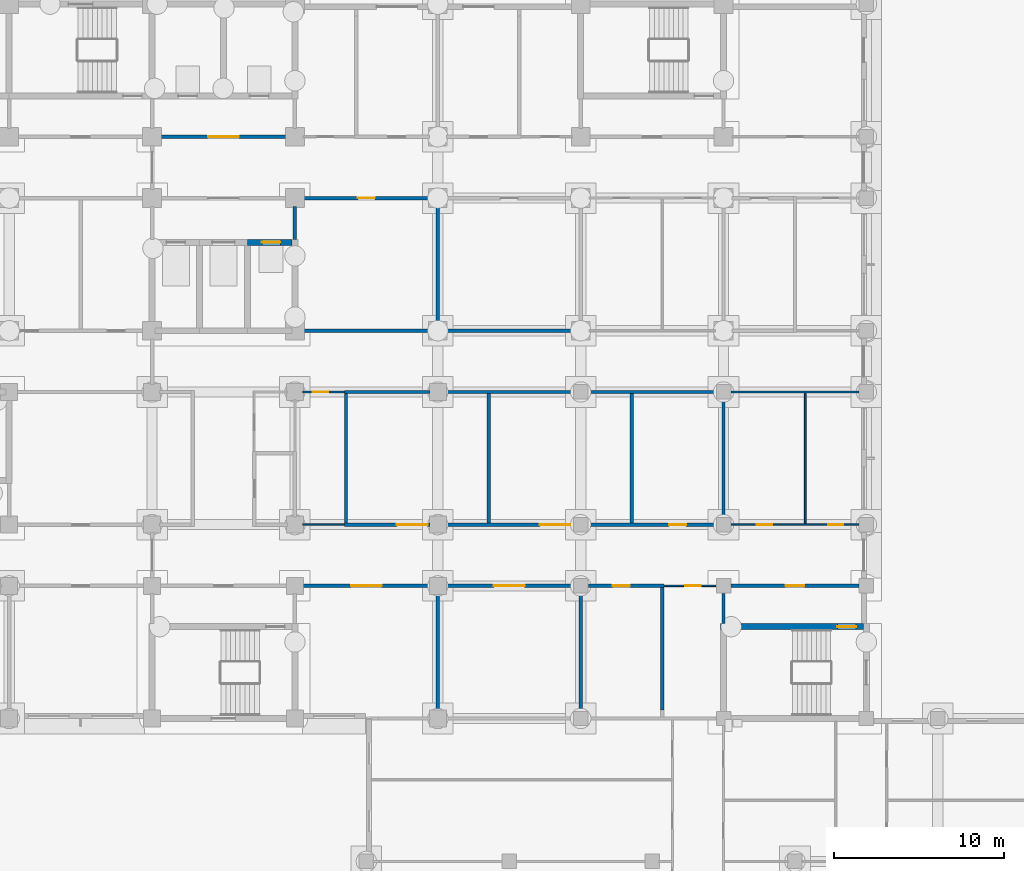
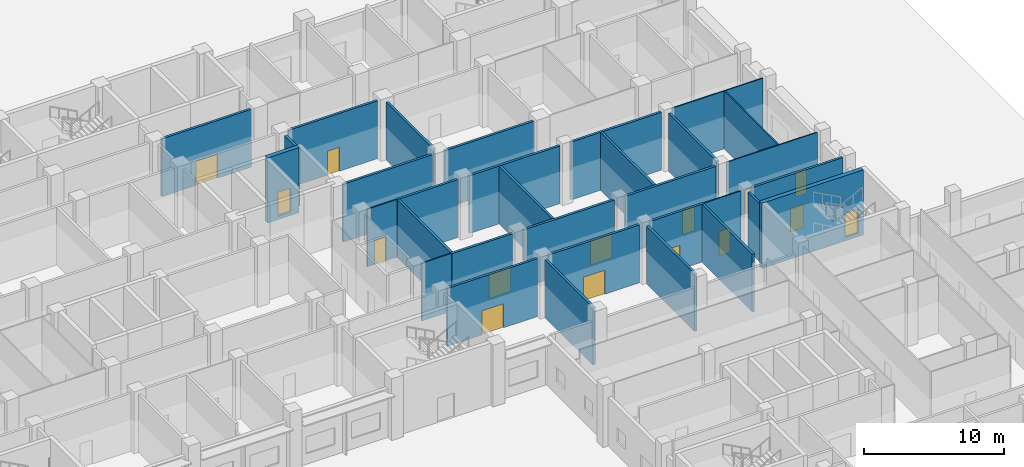
# One storey, part 87 of 146: 32 walls, 15 doors, 15 openings.
"""IFC4 building model written with IfcOpenShell, lengths in metres."""

from ifc_helpers import new_model, si_unit, direction, frame, frame_2d, origin, place, context, subcontext, project, spatial, rectangle, extrude, material, layer, layer_set, type_object, element, fill, save


model = new_model("IFC4")

# Units and contexts
model_context = context("Model", 3, precision=1e-05, world=origin(), true_north=direction((0.0, 1.0)))
body_context = subcontext(model_context, "Body", "Model", "MODEL_VIEW")
ifc_project = project(units=[si_unit("LENGTHUNIT", "METRE"), si_unit("AREAUNIT", "SQUARE_METRE"), si_unit("VOLUMEUNIT", "CUBIC_METRE"), si_unit("PLANEANGLEUNIT", "RADIAN"), si_unit("MASSUNIT", "GRAM", prefix="KILO")], contexts=[model_context])

# Site, building, storey
site_placement = place(None, origin())
site = spatial("IfcSite", under=ifc_project, at=site_placement, CompositionType="ELEMENT")
building_placement = place(site_placement, origin())
building = spatial("IfcBuilding", under=site, at=building_placement, Name="Bougainvillea Quay General Hospital", CompositionType="ELEMENT")
storey_placement = place(building_placement, origin())
storey = spatial("IfcBuildingStorey", under=building, at=storey_placement, Name="L00", CompositionType="ELEMENT", Elevation=0.0)

# Wall, openings, doors
ifc_material_1 = material(Name="Gypsum board partition on steel studs", Category="steel")
ifc_layer_1 = layer(ifc_material_1, 0.10009765625)
ifc_layer_set_1 = layer_set([ifc_layer_1], Name="Gypsum board partition on steel studs")
wall_type_1 = type_object("IfcWallType", Name="Partition 100 Gypsum board partition", PredefinedType="PARTITIONING", material=ifc_layer_set_1)
wall_1_placement = place(storey_placement, frame((185.25, 129.0, 0.0), z_axis=(0.0, 0.0, 1.0), x_axis=(1.0, 0.0, 0.0)))
wall_1 = element("IfcWall", 1, at=wall_1_placement, inside=storey, type_object=wall_type_1, Name="Partition 100 mm", PredefinedType="PARTITIONING", context=body_context, shape_type="SweptSolid", body=[
    extrude(rectangle(XDim=7.5, YDim=0.10009765625, at=frame_2d((3.75, 0.0))), origin(), (0.0, 0.0, 1.0), 5.050048828125),
])
opening_1_placement = place(wall_1_placement, frame((1.5, 0.0, 0.0)))
opening_1 = element("IfcOpeningElement", 2, at=opening_1_placement, cuts=wall_1, Name="Opening L00.169", PredefinedType="OPENING", context=body_context, shape_type="SweptSolid", body=[
    extrude(rectangle(XDim=0.89990234375, YDim=2.10009765625, at=frame_2d((0.449951171875, 1.050048828125))), frame((0.0, 0.06005859375, 0.0), z_axis=(0.0, -1.0, 0.0), x_axis=(1.0, 0.0, 0.0)), (0.0, 0.0, 1.0), 0.1201171875),
])
opening_2_placement = place(wall_1_placement, frame((5.699951171875, 0.0, 0.0)))
opening_2 = element("IfcOpeningElement", 3, at=opening_2_placement, cuts=wall_1, Name="Opening L00.170", PredefinedType="OPENING", context=body_context, shape_type="SweptSolid", body=[
    extrude(rectangle(XDim=0.89990234375, YDim=2.10009765625, at=frame_2d((0.449951171875, 1.050048828125))), frame((0.0, 0.06005859375, 0.0), z_axis=(0.0, -1.0, 0.0), x_axis=(1.0, 0.0, 0.0)), (0.0, 0.0, 1.0), 0.1201171875),
])
ifc_material_2 = material(Name="Solid-core timber door leaf in steel frame", Category="steel")
door_type_1 = type_object("IfcDoorType", Name="Single leaf door 900x2100", OperationType="NOTDEFINED", PredefinedType="DOOR", material=ifc_material_2)
door_1_placement = place(opening_1_placement, origin())
door_1 = element("IfcDoor", 4, at=door_1_placement, inside=storey, type_object=door_type_1, Name="DT07 L00.169", OperationType="SINGLE_SWING_LEFT", OverallHeight=2.10009765625, OverallWidth=0.89990234375, PredefinedType="DOOR", context=body_context, shape_type="SweptSolid", body=[
    extrude(rectangle(XDim=0.89990234375, YDim=2.10009765625, at=frame_2d((0.449951171875, 1.050048828125))), frame((0.0, 0.02490234375, 0.0), z_axis=(0.0, -1.0, 0.0), x_axis=(1.0, 0.0, 0.0)), (0.0, 0.0, 1.0), 0.050048828125),
])
fill(opening_1, door_1)
door_2_placement = place(opening_2_placement, origin())
door_2 = element("IfcDoor", 5, at=door_2_placement, inside=storey, type_object=door_type_1, Name="DT07 L00.170", OperationType="SINGLE_SWING_RIGHT", OverallHeight=2.10009765625, OverallWidth=0.89990234375, PredefinedType="DOOR", context=body_context, shape_type="SweptSolid", body=[
    extrude(rectangle(XDim=0.89990234375, YDim=2.10009765625, at=frame_2d((0.449951171875, 1.050048828125))), frame((0.0, 0.02490234375, 0.0), z_axis=(0.0, -1.0, 0.0), x_axis=(1.0, 0.0, 0.0)), (0.0, 0.0, 1.0), 0.050048828125),
])
fill(opening_2, door_2)

# Walls
wall_2_placement = place(storey_placement, frame((185.25, 136.800048828125, 0.0), z_axis=(0.0, 0.0, 1.0), x_axis=(1.0, 0.0, 0.0)))
element("IfcWall", 6, at=wall_2_placement, inside=storey, type_object=wall_type_1, Name="Partition 100 mm", PredefinedType="PARTITIONING", context=body_context, shape_type="SweptSolid", body=[
    extrude(rectangle(XDim=7.5, YDim=0.10009765625, at=frame_2d((3.75, 0.0))), origin(), (0.0, 0.0, 1.0), 5.050048828125),
])
wall_3_placement = place(storey_placement, frame((189.60009765625, 129.050048828125, 0.0), z_axis=(0.0, 0.0, 1.0), x_axis=(0.0, 1.0, 0.0)))
element("IfcWall", 7, at=wall_3_placement, inside=storey, type_object=wall_type_1, Name="Partition 100 mm", PredefinedType="PARTITIONING", context=body_context, shape_type="SweptSolid", body=[
    extrude(rectangle(XDim=7.699951171875, YDim=0.10009765625, at=frame_2d((3.85009765625, 0.0))), origin(), (0.0, 0.0, 1.0), 5.050048828125),
])

# Wall, opening, door
wall_4_placement = place(storey_placement, frame((160.050048828125, 136.800048828125, 0.0), z_axis=(0.0, 0.0, 1.0), x_axis=(1.0, 0.0, 0.0)))
wall_4 = element("IfcWall", 8, at=wall_4_placement, inside=storey, type_object=wall_type_1, Name="Partition 100 mm", PredefinedType="PARTITIONING", context=body_context, shape_type="SweptSolid", body=[
    extrude(rectangle(XDim=2.449951171875, YDim=0.10009765625, at=frame_2d((1.22509765625, 0.0))), origin(), (0.0, 0.0, 1.0), 5.050048828125),
])
opening_3_placement = place(wall_4_placement, frame((0.60009765625, 0.0, 0.0)))
opening_3 = element("IfcOpeningElement", 9, at=opening_3_placement, cuts=wall_4, Name="Opening L00.165", PredefinedType="OPENING", context=body_context, shape_type="SweptSolid", body=[
    extrude(rectangle(XDim=0.89990234375, YDim=2.10009765625, at=frame_2d((0.449951171875, 1.050048828125))), frame((0.0, 0.06005859375, 0.0), z_axis=(0.0, -1.0, 0.0), x_axis=(1.0, 0.0, 0.0)), (0.0, 0.0, 1.0), 0.1201171875),
])
door_3_placement = place(opening_3_placement, frame((0.89990234375, 0.0, 0.0), z_axis=(0.0, 0.0, 1.0), x_axis=(-1.0, 0.0, 0.0)))
door_3 = element("IfcDoor", 10, at=door_3_placement, inside=storey, type_object=door_type_1, Name="DT07 L00.165", OperationType="SINGLE_SWING_RIGHT", OverallHeight=2.10009765625, OverallWidth=0.89990234375, PredefinedType="DOOR", context=body_context, shape_type="SweptSolid", body=[
    extrude(rectangle(XDim=0.89990234375, YDim=2.10009765625, at=frame_2d((0.449951171875, 1.050048828125))), frame((0.0, 0.02490234375, 0.0), z_axis=(0.0, -1.0, 0.0), x_axis=(1.0, 0.0, 0.0)), (0.0, 0.0, 1.0), 0.050048828125),
])
fill(opening_3, door_3)

wall_5_placement = place(storey_placement, frame((181.300048828125, 125.39990234375, 0.0), z_axis=(0.0, 0.0, 1.0), x_axis=(1.0, 0.0, 0.0)))
wall_5 = element("IfcWall", 11, at=wall_5_placement, inside=storey, type_object=wall_type_1, Name="Partition 100 mm", PredefinedType="PARTITIONING", context=body_context, shape_type="SweptSolid", body=[
    extrude(rectangle(XDim=3.050048828125, YDim=0.10009765625, at=frame_2d((1.52490234375, 0.0))), origin(), (0.0, 0.0, 1.0), 5.050048828125),
])
opening_4_placement = place(wall_5_placement, frame((1.25, 0.0, 0.0)))
opening_4 = element("IfcOpeningElement", 12, at=opening_4_placement, cuts=wall_5, Name="Opening L00.164", PredefinedType="OPENING", context=body_context, shape_type="SweptSolid", body=[
    extrude(rectangle(XDim=0.89990234375, YDim=2.10009765625, at=frame_2d((0.449951171875, 1.050048828125))), frame((0.0, 0.06005859375, 0.0), z_axis=(0.0, -1.0, 0.0), x_axis=(1.0, 0.0, 0.0)), (0.0, 0.0, 1.0), 0.1201171875),
])
door_4_placement = place(opening_4_placement, frame((0.89990234375, 0.0, 0.0), z_axis=(0.0, 0.0, 1.0), x_axis=(-1.0, 0.0, 0.0)))
door_4 = element("IfcDoor", 13, at=door_4_placement, inside=storey, type_object=door_type_1, Name="DT07 L00.164", OperationType="SINGLE_SWING_LEFT", OverallHeight=2.10009765625, OverallWidth=0.89990234375, PredefinedType="DOOR", context=body_context, shape_type="SweptSolid", body=[
    extrude(rectangle(XDim=0.89990234375, YDim=2.10009765625, at=frame_2d((0.449951171875, 1.050048828125))), frame((0.0, 0.02490234375, 0.0), z_axis=(0.0, -1.0, 0.0), x_axis=(1.0, 0.0, 0.0)), (0.0, 0.0, 1.0), 0.050048828125),
])
fill(opening_4, door_4)

# Wall
wall_6_placement = place(storey_placement, frame((160.050048828125, 129.0, 0.0), z_axis=(0.0, 0.0, 1.0), x_axis=(1.0, 0.0, 0.0)))
element("IfcWall", 14, at=wall_6_placement, inside=storey, type_object=wall_type_1, Name="Partition 100 mm", PredefinedType="PARTITIONING", context=body_context, shape_type="SweptSolid", body=[
    extrude(rectangle(XDim=2.449951171875, YDim=0.10009765625, at=frame_2d((1.22509765625, 0.0))), origin(), (0.0, 0.0, 1.0), 5.050048828125),
])

# Wall, opening, door
ifc_material_3 = material(Name="Fire-rated autoclaved aerated block wall, plastered")
ifc_layer_2 = layer(ifc_material_3, 0.199951171875)
ifc_layer_set_2 = layer_set([ifc_layer_2], Name="Fire-rated autoclaved aerated block wall, plastered")
wall_type_2 = type_object("IfcWallType", Name="Partition 200 Fire-rated autoclaved aerated block wall EI 120", PredefinedType="SOLIDWALL", material=ifc_layer_set_2)
wall_7_placement = place(storey_placement, frame((159.10009765625, 151.800048828125, 0.0), z_axis=(0.0, 0.0, 1.0), x_axis=(-1.0, 0.0, 0.0)))
wall_7 = element("IfcWall", 15, at=wall_7_placement, inside=storey, type_object=wall_type_2, Name="Partition 200 mm EI 120", PredefinedType="SOLIDWALL", context=body_context, shape_type="SweptSolid", body=[
    extrude(rectangle(XDim=7.400146484375, YDim=0.199951171875, at=frame_2d((3.7001953125, 0.0))), origin(), (0.0, 0.0, 1.0), 5.050048828125),
])
opening_5_placement = place(wall_7_placement, frame((2.800048828125, 0.0, 0.0)))
opening_5 = element("IfcOpeningElement", 16, at=opening_5_placement, cuts=wall_7, Name="Opening L00.053", PredefinedType="OPENING", context=body_context, shape_type="SweptSolid", body=[
    extrude(rectangle(XDim=1.800048828125, YDim=2.10009765625, at=frame_2d((0.89990234375, 1.050048828125))), frame((0.0, 0.10986328125, 0.0), z_axis=(0.0, -1.0, 0.0), x_axis=(1.0, 0.0, 0.0)), (0.0, 0.0, 1.0), 0.219970703125),
])
ifc_material_4 = material(Name="Steel fire door leaves in steel frame", Category="steel")
door_type_2 = type_object("IfcDoorType", Name="Steel double leaf door 1800x2100 FD60", OperationType="DOUBLE_DOOR_SINGLE_SWING", PredefinedType="DOOR", material=ifc_material_4)
door_5_placement = place(opening_5_placement, frame((1.800048828125, 0.0, 0.0), z_axis=(0.0, 0.0, 1.0), x_axis=(-1.0, 0.0, 0.0)))
door_5 = element("IfcDoor", 17, at=door_5_placement, inside=storey, type_object=door_type_2, Name="DT05 L00.053", OperationType="DOUBLE_DOOR_SINGLE_SWING", OverallHeight=2.10009765625, OverallWidth=1.800048828125, PredefinedType="DOOR", context=body_context, shape_type="SweptSolid", body=[
    extrude(rectangle(XDim=1.800048828125, YDim=2.10009765625, at=frame_2d((0.89990234375, 1.050048828125))), frame((0.0, 0.02490234375, 0.0), z_axis=(0.0, -1.0, 0.0), x_axis=(1.0, 0.0, 0.0)), (0.0, 0.0, 1.0), 0.050048828125),
])
fill(opening_5, door_5)

wall_8_placement = place(storey_placement, frame((185.25, 125.39990234375, 0.0), z_axis=(0.0, 0.0, 1.0), x_axis=(1.0, 0.0, 0.0)))
wall_8 = element("IfcWall", 18, at=wall_8_placement, inside=storey, type_object=wall_type_2, Name="Partition 200 mm EI 120", PredefinedType="SOLIDWALL", context=body_context, shape_type="SweptSolid", body=[
    extrude(rectangle(XDim=7.5, YDim=0.199951171875, at=frame_2d((3.75, 0.0))), origin(), (0.0, 0.0, 1.0), 5.050048828125),
])
opening_6_placement = place(wall_8_placement, frame((3.199951171875, 0.0, 0.0)))
opening_6 = element("IfcOpeningElement", 19, at=opening_6_placement, cuts=wall_8, Name="Opening L00.046", PredefinedType="OPENING", context=body_context, shape_type="SweptSolid", body=[
    extrude(rectangle(XDim=1.10009765625, YDim=2.10009765625, at=frame_2d((0.550048828125, 1.050048828125))), frame((0.0, 0.10986328125, 0.0), z_axis=(0.0, -1.0, 0.0), x_axis=(1.0, 0.0, 0.0)), (0.0, 0.0, 1.0), 0.219970703125),
])
ifc_material_5 = material(Name="Steel fire door leaf in steel frame", Category="steel")
door_type_3 = type_object("IfcDoorType", Name="Steel single leaf door 1100x2100 FD60", OperationType="NOTDEFINED", PredefinedType="DOOR", material=ifc_material_5)
door_6_placement = place(opening_6_placement, frame((1.10009765625, 0.0, 0.0), z_axis=(0.0, 0.0, 1.0), x_axis=(-1.0, 0.0, 0.0)))
door_6 = element("IfcDoor", 20, at=door_6_placement, inside=storey, type_object=door_type_3, Name="DT04 L00.046", OperationType="SINGLE_SWING_LEFT", OverallHeight=2.10009765625, OverallWidth=1.10009765625, PredefinedType="DOOR", context=body_context, shape_type="SweptSolid", body=[
    extrude(rectangle(XDim=1.10009765625, YDim=2.10009765625, at=frame_2d((0.550048828125, 1.050048828125))), frame((0.0, 0.02490234375, 0.0), z_axis=(0.0, -1.0, 0.0), x_axis=(1.0, 0.0, 0.0)), (0.0, 0.0, 1.0), 0.050048828125),
])
fill(opening_6, door_6)

# Walls
wall_9_placement = place(storey_placement, frame((159.60009765625, 145.77490234375, 0.0), z_axis=(0.0, 0.0, 1.0), x_axis=(0.0, 1.0, 0.0)))
element("IfcWall", 21, at=wall_9_placement, inside=storey, type_object=wall_type_2, Name="Partition 200 mm EI 120", PredefinedType="SOLIDWALL", context=body_context, shape_type="SweptSolid", body=[
    extrude(rectangle(XDim=1.925048828125, YDim=0.199951171875, at=frame_2d((0.96240234375, 0.0))), origin(), (0.0, 0.0, 1.0), 5.050048828125),
])
wall_10_placement = place(storey_placement, frame((184.800048828125, 123.175048828125, 0.0), z_axis=(0.0, 0.0, 1.0), x_axis=(0.0, 1.0, 0.0)))
element("IfcWall", 22, at=wall_10_placement, inside=storey, type_object=wall_type_2, Name="Partition 200 mm EI 120", PredefinedType="SOLIDWALL", context=body_context, shape_type="SweptSolid", body=[
    extrude(rectangle(XDim=1.77490234375, YDim=0.199951171875, at=frame_2d((0.887451171875, 0.0))), origin(), (0.0, 0.0, 1.0), 5.050048828125),
])

# Wall, opening, door
ifc_layer_3 = layer(ifc_material_3, 0.199951171875)
ifc_layer_set_3 = layer_set([ifc_layer_3], Name="Fire-rated autoclaved aerated block wall, plastered")
wall_type_3 = type_object("IfcWallType", Name="Partition 200 Fire-rated autoclaved aerated block wall EI 60", PredefinedType="SOLIDWALL", material=ifc_layer_set_3)
wall_11_placement = place(storey_placement, frame((184.35009765625, 129.0, 0.0), z_axis=(0.0, 0.0, 1.0), x_axis=(-1.0, 0.0, 0.0)))
wall_11 = element("IfcWall", 23, at=wall_11_placement, inside=storey, type_object=wall_type_3, Name="Partition 200 mm EI 60", PredefinedType="SOLIDWALL", context=body_context, shape_type="SweptSolid", body=[
    extrude(rectangle(XDim=7.5, YDim=0.199951171875, at=frame_2d((3.75, 0.0))), origin(), (0.0, 0.0, 1.0), 5.050048828125),
])
opening_7_placement = place(wall_11_placement, frame((1.75, 0.0, 0.0)))
opening_7 = element("IfcOpeningElement", 24, at=opening_7_placement, cuts=wall_11, Name="Opening L00.168", PredefinedType="OPENING", context=body_context, shape_type="SweptSolid", body=[
    extrude(rectangle(XDim=1.0, YDim=2.10009765625, at=frame_2d((0.5, 1.050048828125))), frame((0.0, 0.10986328125, 0.0), z_axis=(0.0, -1.0, 0.0), x_axis=(1.0, 0.0, 0.0)), (0.0, 0.0, 1.0), 0.219970703125),
])
door_type_4 = type_object("IfcDoorType", Name="Steel single leaf door 1000x2100 FD60", OperationType="NOTDEFINED", PredefinedType="DOOR", material=ifc_material_5)
door_7_placement = place(opening_7_placement, frame((1.0, 0.0, 0.0), z_axis=(0.0, 0.0, 1.0), x_axis=(-1.0, 0.0, 0.0)))
door_7 = element("IfcDoor", 25, at=door_7_placement, inside=storey, type_object=door_type_4, Name="DT10 L00.168", OperationType="SINGLE_SWING_RIGHT", OverallHeight=2.10009765625, OverallWidth=1.0, PredefinedType="DOOR", context=body_context, shape_type="SweptSolid", body=[
    extrude(rectangle(XDim=1.0, YDim=2.10009765625, at=frame_2d((0.5, 1.050048828125))), frame((0.0, 0.02490234375, 0.0), z_axis=(0.0, -1.0, 0.0), x_axis=(1.0, 0.0, 0.0)), (0.0, 0.0, 1.0), 0.050048828125),
])
fill(opening_7, door_7)

wall_12_placement = place(storey_placement, frame((175.949951171875, 129.0, 0.0), z_axis=(0.0, 0.0, 1.0), x_axis=(-1.0, 0.0, 0.0)))
wall_12 = element("IfcWall", 26, at=wall_12_placement, inside=storey, type_object=wall_type_3, Name="Partition 200 mm EI 60", PredefinedType="SOLIDWALL", context=body_context, shape_type="SweptSolid", body=[
    extrude(rectangle(XDim=7.5, YDim=0.199951171875, at=frame_2d((3.75, 0.0))), origin(), (0.0, 0.0, 1.0), 5.050048828125),
])
opening_8_placement = place(wall_12_placement, frame((0.14990234375, 0.0, 0.0)))
opening_8 = element("IfcOpeningElement", 27, at=opening_8_placement, cuts=wall_12, Name="Opening L00.167", PredefinedType="OPENING", context=body_context, shape_type="SweptSolid", body=[
    extrude(rectangle(XDim=1.800048828125, YDim=2.10009765625, at=frame_2d((0.89990234375, 1.050048828125))), frame((0.0, 0.10986328125, 0.0), z_axis=(0.0, -1.0, 0.0), x_axis=(1.0, 0.0, 0.0)), (0.0, 0.0, 1.0), 0.219970703125),
])
door_8_placement = place(opening_8_placement, frame((1.800048828125, 0.0, 0.0), z_axis=(0.0, 0.0, 1.0), x_axis=(-1.0, 0.0, 0.0)))
door_8 = element("IfcDoor", 28, at=door_8_placement, inside=storey, type_object=door_type_2, Name="DT05 L00.167", OperationType="DOUBLE_DOOR_SINGLE_SWING", OverallHeight=2.10009765625, OverallWidth=1.800048828125, PredefinedType="DOOR", context=body_context, shape_type="SweptSolid", body=[
    extrude(rectangle(XDim=1.800048828125, YDim=2.10009765625, at=frame_2d((0.89990234375, 1.050048828125))), frame((0.0, 0.02490234375, 0.0), z_axis=(0.0, -1.0, 0.0), x_axis=(1.0, 0.0, 0.0)), (0.0, 0.0, 1.0), 0.050048828125),
])
fill(opening_8, door_8)

wall_13_placement = place(storey_placement, frame((167.550048828125, 129.0, 0.0), z_axis=(0.0, 0.0, 1.0), x_axis=(-1.0, 0.0, 0.0)))
wall_13 = element("IfcWall", 29, at=wall_13_placement, inside=storey, type_object=wall_type_3, Name="Partition 200 mm EI 60", PredefinedType="SOLIDWALL", context=body_context, shape_type="SweptSolid", body=[
    extrude(rectangle(XDim=5.050048828125, YDim=0.199951171875, at=frame_2d((2.52490234375, 0.0))), origin(), (0.0, 0.0, 1.0), 5.050048828125),
])
opening_9_placement = place(wall_13_placement, frame((0.14990234375, 0.0, 0.0)))
opening_9 = element("IfcOpeningElement", 30, at=opening_9_placement, cuts=wall_13, Name="Opening L00.166", PredefinedType="OPENING", context=body_context, shape_type="SweptSolid", body=[
    extrude(rectangle(XDim=1.800048828125, YDim=2.10009765625, at=frame_2d((0.89990234375, 1.050048828125))), frame((0.0, 0.10986328125, 0.0), z_axis=(0.0, -1.0, 0.0), x_axis=(1.0, 0.0, 0.0)), (0.0, 0.0, 1.0), 0.219970703125),
])
door_9_placement = place(opening_9_placement, frame((1.800048828125, 0.0, 0.0), z_axis=(0.0, 0.0, 1.0), x_axis=(-1.0, 0.0, 0.0)))
door_9 = element("IfcDoor", 31, at=door_9_placement, inside=storey, type_object=door_type_2, Name="DT05 L00.166", OperationType="DOUBLE_DOOR_SINGLE_SWING", OverallHeight=2.10009765625, OverallWidth=1.800048828125, PredefinedType="DOOR", context=body_context, shape_type="SweptSolid", body=[
    extrude(rectangle(XDim=1.800048828125, YDim=2.10009765625, at=frame_2d((0.89990234375, 1.050048828125))), frame((0.0, 0.02490234375, 0.0), z_axis=(0.0, -1.0, 0.0), x_axis=(1.0, 0.0, 0.0)), (0.0, 0.0, 1.0), 0.050048828125),
])
fill(opening_9, door_9)

# Walls
for number, where, z_axis, x_axis, name in (
    (32, (184.35009765625, 136.800048828125, 0.0), (0.0, 0.0, 1.0), (-1.0, 0.0, 0.0), "Partition 200 mm EI 60"),
    (33, (175.949951171875, 136.800048828125, 0.0), (0.0, 0.0, 1.0), (-1.0, 0.0, 0.0), "Partition 200 mm EI 60"),
):
    element("IfcWall", number, at=place(storey_placement, frame(where, z_axis=z_axis, x_axis=x_axis)), inside=storey, type_object=wall_type_3, Name=name, PredefinedType="SOLIDWALL", context=body_context, shape_type="SweptSolid", body=[
        extrude(rectangle(XDim=7.5, YDim=0.199951171875, at=frame_2d((3.75, 0.0))), origin(), (0.0, 0.0, 1.0), 5.050048828125),
    ])
wall_14_placement = place(storey_placement, frame((167.550048828125, 136.800048828125, 0.0), z_axis=(0.0, 0.0, 1.0), x_axis=(-1.0, 0.0, 0.0)))
element("IfcWall", 34, at=wall_14_placement, inside=storey, type_object=wall_type_3, Name="Partition 200 mm EI 60", PredefinedType="SOLIDWALL", context=body_context, shape_type="SweptSolid", body=[
    extrude(rectangle(XDim=5.050048828125, YDim=0.199951171875, at=frame_2d((2.52490234375, 0.0))), origin(), (0.0, 0.0, 1.0), 5.050048828125),
])

# Wall, opening, door
wall_15_placement = place(storey_placement, frame((181.300048828125, 125.39990234375, 0.0), z_axis=(0.0, 0.0, 1.0), x_axis=(-1.0, 0.0, 0.0)))
wall_15 = element("IfcWall", 35, at=wall_15_placement, inside=storey, type_object=wall_type_3, Name="Partition 200 mm EI 60", PredefinedType="SOLIDWALL", context=body_context, shape_type="SweptSolid", body=[
    extrude(rectangle(XDim=4.449951171875, YDim=0.199951171875, at=frame_2d((2.22509765625, 0.0))), origin(), (0.0, 0.0, 1.0), 5.050048828125),
])
opening_10_placement = place(wall_15_placement, frame((2.0, 0.0, 0.0)))
opening_10 = element("IfcOpeningElement", 36, at=opening_10_placement, cuts=wall_15, Name="Opening L00.163", PredefinedType="OPENING", context=body_context, shape_type="SweptSolid", body=[
    extrude(rectangle(XDim=1.0, YDim=2.10009765625, at=frame_2d((0.5, 1.050048828125))), frame((0.0, 0.10986328125, 0.0), z_axis=(0.0, -1.0, 0.0), x_axis=(1.0, 0.0, 0.0)), (0.0, 0.0, 1.0), 0.219970703125),
])
door_10_placement = place(opening_10_placement, origin())
door_10 = element("IfcDoor", 37, at=door_10_placement, inside=storey, type_object=door_type_4, Name="DT10 L00.163", OperationType="SINGLE_SWING_RIGHT", OverallHeight=2.10009765625, OverallWidth=1.0, PredefinedType="DOOR", context=body_context, shape_type="SweptSolid", body=[
    extrude(rectangle(XDim=1.0, YDim=2.10009765625, at=frame_2d((0.5, 1.050048828125))), frame((0.0, 0.02490234375, 0.0), z_axis=(0.0, -1.0, 0.0), x_axis=(1.0, 0.0, 0.0)), (0.0, 0.0, 1.0), 0.050048828125),
])
fill(opening_10, door_10)

wall_16_placement = place(storey_placement, frame((175.949951171875, 125.39990234375, 0.0), z_axis=(0.0, 0.0, 1.0), x_axis=(-1.0, 0.0, 0.0)))
wall_16 = element("IfcWall", 38, at=wall_16_placement, inside=storey, type_object=wall_type_3, Name="Partition 200 mm EI 60", PredefinedType="SOLIDWALL", context=body_context, shape_type="SweptSolid", body=[
    extrude(rectangle(XDim=7.5, YDim=0.199951171875, at=frame_2d((3.75, 0.0))), origin(), (0.0, 0.0, 1.0), 5.050048828125),
])
opening_11_placement = place(wall_16_placement, frame((2.85009765625, 0.0, 0.0)))
opening_11 = element("IfcOpeningElement", 39, at=opening_11_placement, cuts=wall_16, Name="Opening L00.162", PredefinedType="OPENING", context=body_context, shape_type="SweptSolid", body=[
    extrude(rectangle(XDim=1.800048828125, YDim=2.10009765625, at=frame_2d((0.89990234375, 1.050048828125))), frame((0.0, 0.10986328125, 0.0), z_axis=(0.0, -1.0, 0.0), x_axis=(1.0, 0.0, 0.0)), (0.0, 0.0, 1.0), 0.219970703125),
])
door_11_placement = place(opening_11_placement, origin())
door_11 = element("IfcDoor", 40, at=door_11_placement, inside=storey, type_object=door_type_2, Name="DT05 L00.162", OperationType="DOUBLE_DOOR_SINGLE_SWING", OverallHeight=2.10009765625, OverallWidth=1.800048828125, PredefinedType="DOOR", context=body_context, shape_type="SweptSolid", body=[
    extrude(rectangle(XDim=1.800048828125, YDim=2.10009765625, at=frame_2d((0.89990234375, 1.050048828125))), frame((0.0, 0.02490234375, 0.0), z_axis=(0.0, -1.0, 0.0), x_axis=(1.0, 0.0, 0.0)), (0.0, 0.0, 1.0), 0.050048828125),
])
fill(opening_11, door_11)

wall_17_placement = place(storey_placement, frame((167.550048828125, 125.39990234375, 0.0), z_axis=(0.0, 0.0, 1.0), x_axis=(-1.0, 0.0, 0.0)))
wall_17 = element("IfcWall", 41, at=wall_17_placement, inside=storey, type_object=wall_type_3, Name="Partition 200 mm EI 60", PredefinedType="SOLIDWALL", context=body_context, shape_type="SweptSolid", body=[
    extrude(rectangle(XDim=7.5, YDim=0.199951171875, at=frame_2d((3.75, 0.0))), origin(), (0.0, 0.0, 1.0), 5.050048828125),
])
opening_12_placement = place(wall_17_placement, frame((2.85009765625, 0.0, 0.0)))
opening_12 = element("IfcOpeningElement", 42, at=opening_12_placement, cuts=wall_17, Name="Opening L00.161", PredefinedType="OPENING", context=body_context, shape_type="SweptSolid", body=[
    extrude(rectangle(XDim=1.800048828125, YDim=2.10009765625, at=frame_2d((0.89990234375, 1.050048828125))), frame((0.0, 0.10986328125, 0.0), z_axis=(0.0, -1.0, 0.0), x_axis=(1.0, 0.0, 0.0)), (0.0, 0.0, 1.0), 0.219970703125),
])
door_12_placement = place(opening_12_placement, origin())
door_12 = element("IfcDoor", 43, at=door_12_placement, inside=storey, type_object=door_type_2, Name="DT05 L00.161", OperationType="DOUBLE_DOOR_SINGLE_SWING", OverallHeight=2.10009765625, OverallWidth=1.800048828125, PredefinedType="DOOR", context=body_context, shape_type="SweptSolid", body=[
    extrude(rectangle(XDim=1.800048828125, YDim=2.10009765625, at=frame_2d((0.89990234375, 1.050048828125))), frame((0.0, 0.02490234375, 0.0), z_axis=(0.0, -1.0, 0.0), x_axis=(1.0, 0.0, 0.0)), (0.0, 0.0, 1.0), 0.050048828125),
])
fill(opening_12, door_12)

# Walls
for number, where, z_axis, x_axis, name in (
    (44, (160.10009765625, 140.39990234375, 0.0), (0.0, 0.0, 1.0), (1.0, 0.0, 0.0), "Partition 200 mm EI 60"),
    (45, (168.5, 140.39990234375, 0.0), (0.0, 0.0, 1.0), (1.0, 0.0, 0.0), "Partition 200 mm EI 60"),
):
    element("IfcWall", number, at=place(storey_placement, frame(where, z_axis=z_axis, x_axis=x_axis)), inside=storey, type_object=wall_type_3, Name=name, PredefinedType="SOLIDWALL", context=body_context, shape_type="SweptSolid", body=[
        extrude(rectangle(XDim=7.39990234375, YDim=0.199951171875, at=frame_2d((3.699951171875, 0.0))), origin(), (0.0, 0.0, 1.0), 5.050048828125),
    ])

# Wall, opening, door
wall_18_placement = place(storey_placement, frame((160.10009765625, 148.199951171875, 0.0), z_axis=(0.0, 0.0, 1.0), x_axis=(1.0, 0.0, 0.0)))
wall_18 = element("IfcWall", 46, at=wall_18_placement, inside=storey, type_object=wall_type_3, Name="Partition 200 mm EI 60", PredefinedType="SOLIDWALL", context=body_context, shape_type="SweptSolid", body=[
    extrude(rectangle(XDim=7.39990234375, YDim=0.199951171875, at=frame_2d((3.699951171875, 0.0))), origin(), (0.0, 0.0, 1.0), 5.050048828125),
])
opening_13_placement = place(wall_18_placement, frame((3.199951171875, 0.0, 0.0)))
opening_13 = element("IfcOpeningElement", 47, at=opening_13_placement, cuts=wall_18, Name="Opening L00.201", PredefinedType="OPENING", context=body_context, shape_type="SweptSolid", body=[
    extrude(rectangle(XDim=1.0, YDim=2.10009765625, at=frame_2d((0.5, 1.050048828125))), frame((0.0, 0.10986328125, 0.0), z_axis=(0.0, -1.0, 0.0), x_axis=(1.0, 0.0, 0.0)), (0.0, 0.0, 1.0), 0.219970703125),
])
door_13_placement = place(opening_13_placement, frame((1.0, 0.0, 0.0), z_axis=(0.0, 0.0, 1.0), x_axis=(-1.0, 0.0, 0.0)))
door_13 = element("IfcDoor", 48, at=door_13_placement, inside=storey, type_object=door_type_4, Name="DT10 L00.201", OperationType="SINGLE_SWING_RIGHT", OverallHeight=2.10009765625, OverallWidth=1.0, PredefinedType="DOOR", context=body_context, shape_type="SweptSolid", body=[
    extrude(rectangle(XDim=1.0, YDim=2.10009765625, at=frame_2d((0.5, 1.050048828125))), frame((0.0, 0.02490234375, 0.0), z_axis=(0.0, -1.0, 0.0), x_axis=(1.0, 0.0, 0.0)), (0.0, 0.0, 1.0), 0.050048828125),
])
fill(opening_13, door_13)

# Walls
wall_19_placement = place(storey_placement, frame((162.60009765625, 129.10009765625, 0.0), z_axis=(0.0, 0.0, 1.0), x_axis=(0.0, 1.0, 0.0)))
element("IfcWall", 49, at=wall_19_placement, inside=storey, type_object=wall_type_3, Name="Partition 200 mm EI 60", PredefinedType="SOLIDWALL", context=body_context, shape_type="SweptSolid", body=[
    extrude(rectangle(XDim=7.599853515625, YDim=0.199951171875, at=frame_2d((3.7998046875, 0.0))), origin(), (0.0, 0.0, 1.0), 5.050048828125),
])
wall_20_placement = place(storey_placement, frame((168.0, 118.050048828125, 0.0), z_axis=(0.0, 0.0, 1.0), x_axis=(0.0, 1.0, 0.0)))
element("IfcWall", 50, at=wall_20_placement, inside=storey, type_object=wall_type_3, Name="Partition 200 mm EI 60", PredefinedType="SOLIDWALL", context=body_context, shape_type="SweptSolid", body=[
    extrude(rectangle(XDim=6.89990234375, YDim=0.199951171875, at=frame_2d((3.449951171875, 0.0))), origin(), (0.0, 0.0, 1.0), 5.050048828125),
])
wall_21_placement = place(storey_placement, frame((171.0, 129.10009765625, 0.0), z_axis=(0.0, 0.0, 1.0), x_axis=(0.0, 1.0, 0.0)))
element("IfcWall", 51, at=wall_21_placement, inside=storey, type_object=wall_type_3, Name="Partition 200 mm EI 60", PredefinedType="SOLIDWALL", context=body_context, shape_type="SweptSolid", body=[
    extrude(rectangle(XDim=7.599853515625, YDim=0.199951171875, at=frame_2d((3.7998046875, 0.0))), origin(), (0.0, 0.0, 1.0), 5.050048828125),
])
wall_22_placement = place(storey_placement, frame((176.39990234375, 118.050048828125, 0.0), z_axis=(0.0, 0.0, 1.0), x_axis=(0.0, 1.0, 0.0)))
element("IfcWall", 52, at=wall_22_placement, inside=storey, type_object=wall_type_3, Name="Partition 200 mm EI 60", PredefinedType="SOLIDWALL", context=body_context, shape_type="SweptSolid", body=[
    extrude(rectangle(XDim=6.89990234375, YDim=0.199951171875, at=frame_2d((3.449951171875, 0.0))), origin(), (0.0, 0.0, 1.0), 5.050048828125),
])
wall_23_placement = place(storey_placement, frame((179.39990234375, 129.10009765625, 0.0), z_axis=(0.0, 0.0, 1.0), x_axis=(0.0, 1.0, 0.0)))
element("IfcWall", 53, at=wall_23_placement, inside=storey, type_object=wall_type_3, Name="Partition 200 mm EI 60", PredefinedType="SOLIDWALL", context=body_context, shape_type="SweptSolid", body=[
    extrude(rectangle(XDim=7.599853515625, YDim=0.199951171875, at=frame_2d((3.7998046875, 0.0))), origin(), (0.0, 0.0, 1.0), 5.050048828125),
])
wall_24_placement = place(storey_placement, frame((181.199951171875, 118.10009765625, 0.0), z_axis=(0.0, 0.0, 1.0), x_axis=(0.0, 1.0, 0.0)))
element("IfcWall", 54, at=wall_24_placement, inside=storey, type_object=wall_type_3, Name="Partition 200 mm EI 60", PredefinedType="SOLIDWALL", context=body_context, shape_type="SweptSolid", body=[
    extrude(rectangle(XDim=7.199951171875, YDim=0.199951171875, at=frame_2d((3.60009765625, 0.0))), origin(), (0.0, 0.0, 1.0), 5.050048828125),
])
wall_25_placement = place(storey_placement, frame((184.800048828125, 129.449951171875, 0.0), z_axis=(0.0, 0.0, 1.0), x_axis=(0.0, 1.0, 0.0)))
element("IfcWall", 55, at=wall_25_placement, inside=storey, type_object=wall_type_3, Name="Partition 200 mm EI 60", PredefinedType="SOLIDWALL", context=body_context, shape_type="SweptSolid", body=[
    extrude(rectangle(XDim=6.900146484375, YDim=0.199951171875, at=frame_2d((3.4501953125, 0.0))), origin(), (0.0, 0.0, 1.0), 5.050048828125),
])
wall_26_placement = place(storey_placement, frame((168.0, 140.89990234375, 0.0), z_axis=(0.0, 0.0, 1.0), x_axis=(0.0, 1.0, 0.0)))
element("IfcWall", 56, at=wall_26_placement, inside=storey, type_object=wall_type_3, Name="Partition 200 mm EI 60", PredefinedType="SOLIDWALL", context=body_context, shape_type="SweptSolid", body=[
    extrude(rectangle(XDim=6.800048828125, YDim=0.199951171875, at=frame_2d((3.39990234375, 0.0))), origin(), (0.0, 0.0, 1.0), 5.050048828125),
])

# Wall, opening, door
ifc_material_6 = material(Name="Concrete C40", Category="concrete")
ifc_layer_4 = layer(ifc_material_6, 0.35009765625)
ifc_layer_set_4 = layer_set([ifc_layer_4], Name="Concrete C40")
wall_type_4 = type_object("IfcWallType", Name="RC SHEAR WALL 350 C40", PredefinedType="SHEAR", material=ifc_layer_set_4)
wall_27_placement = place(storey_placement, frame((156.800048828125, 145.60009765625, -0.300048828125), z_axis=(0.0, 0.0, 1.0), x_axis=(1.0, 0.0, 0.0)))
wall_27 = element("IfcWall", 57, at=wall_27_placement, inside=storey, type_object=wall_type_4, Name="Shear wall L00", PredefinedType="SHEAR", context=body_context, shape_type="SweptSolid", body=[
    extrude(rectangle(XDim=2.625, YDim=0.35009765625, at=frame_2d((1.3125, 0.0))), origin(), (0.0, 0.0, 1.0), 5.699951171875),
])
opening_14_placement = place(wall_27_placement, frame((0.85009765625, 0.0, 0.300048828125)))
opening_14 = element("IfcOpeningElement", 58, at=opening_14_placement, cuts=wall_27, Name="Opening LD-A2.3-L00", PredefinedType="OPENING", context=body_context, shape_type="SweptSolid", body=[
    extrude(rectangle(XDim=1.10009765625, YDim=2.10009765625, at=frame_2d((0.550048828125, 1.050048828125))), frame((0.0, 0.18505859375, 0.0), z_axis=(0.0, -1.0, 0.0), x_axis=(1.0, 0.0, 0.0)), (0.0, 0.0, 1.0), 0.3701171875),
])
ifc_material_7 = material(Name="Stainless steel centre-opening landing door", Category="steel")
door_type_5 = type_object("IfcDoorType", Name="Lift landing door 1100x2100 E 120", OperationType="DOUBLE_DOOR_SLIDING", PredefinedType="DOOR", material=ifc_material_7)
door_14_placement = place(opening_14_placement, origin())
door_14 = element("IfcDoor", 59, at=door_14_placement, inside=storey, type_object=door_type_5, Name="Lift landing door LB-A2-3 L00", OperationType="DOUBLE_DOOR_SLIDING", OverallHeight=2.10009765625, OverallWidth=1.10009765625, PredefinedType="DOOR", context=body_context, shape_type="SweptSolid", body=[
    extrude(rectangle(XDim=1.10009765625, YDim=2.10009765625, at=frame_2d((0.550048828125, 1.050048828125))), frame((0.0, 0.02490234375, 0.0), z_axis=(0.0, -1.0, 0.0), x_axis=(1.0, 0.0, 0.0)), (0.0, 0.0, 1.0), 0.050048828125),
])
fill(opening_14, door_14)

wall_28_placement = place(storey_placement, frame((184.625, 123.0, -0.300048828125), z_axis=(0.0, 0.0, 1.0), x_axis=(1.0, 0.0, 0.0)))
wall_28 = element("IfcWall", 60, at=wall_28_placement, inside=storey, type_object=wall_type_4, Name="Shear wall L00", PredefinedType="SHEAR", context=body_context, shape_type="SweptSolid", body=[
    extrude(rectangle(XDim=8.39990234375, YDim=0.35009765625, at=frame_2d((4.199951171875, 0.0))), origin(), (0.0, 0.0, 1.0), 5.699951171875),
])
opening_15_placement = place(wall_28_placement, frame((6.875, 0.0, 0.300048828125)))
opening_15 = element("IfcOpeningElement", 61, at=opening_15_placement, cuts=wall_28, Name="Opening L00.030", PredefinedType="OPENING", context=body_context, shape_type="SweptSolid", body=[
    extrude(rectangle(XDim=1.10009765625, YDim=2.10009765625, at=frame_2d((0.550048828125, 1.050048828125))), frame((0.0, 0.18505859375, 0.0), z_axis=(0.0, -1.0, 0.0), x_axis=(1.0, 0.0, 0.0)), (0.0, 0.0, 1.0), 0.3701171875),
])
door_15_placement = place(opening_15_placement, frame((1.10009765625, 0.0, 0.0), z_axis=(0.0, 0.0, 1.0), x_axis=(-1.0, 0.0, 0.0)))
door_15 = element("IfcDoor", 62, at=door_15_placement, inside=storey, type_object=door_type_3, Name="DT04 L00.030", OperationType="SINGLE_SWING_LEFT", OverallHeight=2.10009765625, OverallWidth=1.10009765625, PredefinedType="DOOR", context=body_context, shape_type="SweptSolid", body=[
    extrude(rectangle(XDim=1.10009765625, YDim=2.10009765625, at=frame_2d((0.550048828125, 1.050048828125))), frame((0.0, 0.02490234375, 0.0), z_axis=(0.0, -1.0, 0.0), x_axis=(1.0, 0.0, 0.0)), (0.0, 0.0, 1.0), 0.050048828125),
])
fill(opening_15, door_15)

save(model, "model.ifc")
